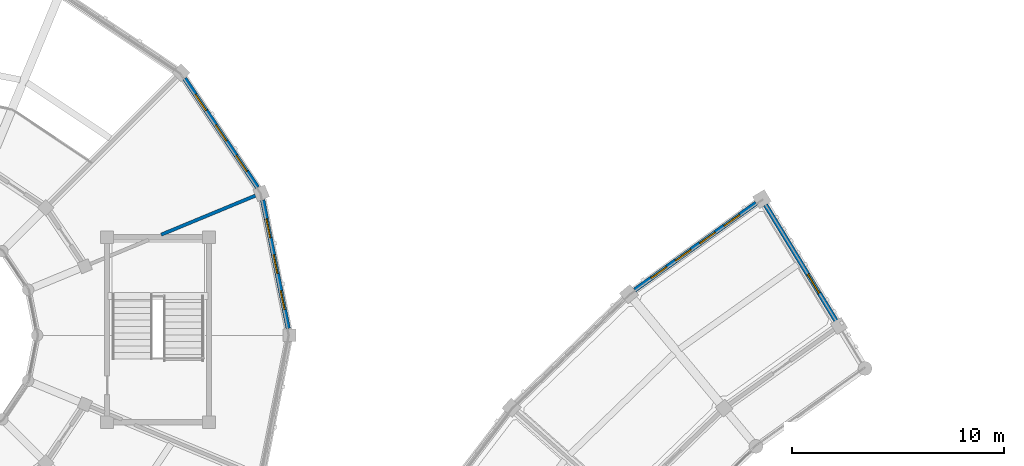
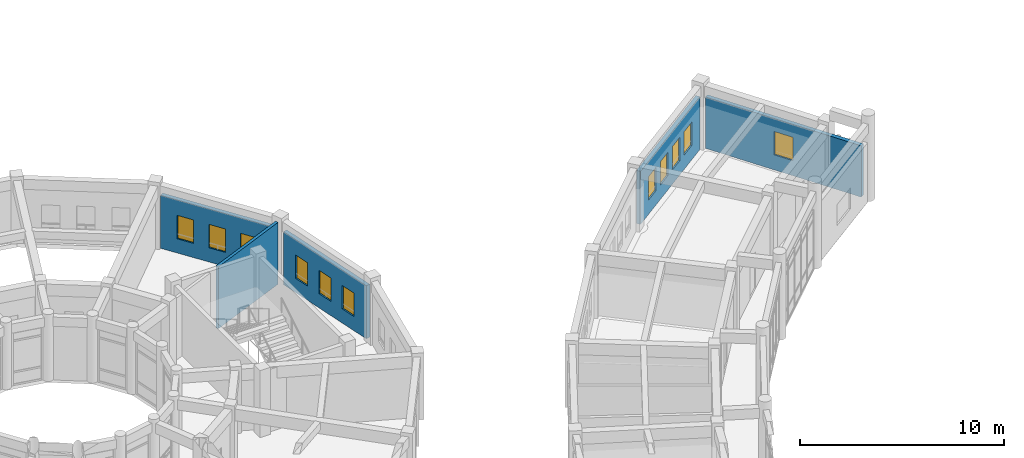
# One storey, part 131 of 159: 11 windows, 5 walls, 11 openings.
"""IFC4 building model written with IfcOpenShell, lengths in metres."""

from ifc_helpers import new_model, si_unit, direction, frame, frame_2d, origin, place, context, subcontext, project, spatial, rectangle, extrude, material, layer, layer_set, type_object, element, fill, save


model = new_model("IFC4")

# Units and contexts
model_context = context("Model", 3, precision=1e-05, world=origin(), true_north=direction((0.0, 1.0)))
body_context = subcontext(model_context, "Body", "Model", "MODEL_VIEW")
ifc_project = project(units=[si_unit("LENGTHUNIT", "METRE"), si_unit("AREAUNIT", "SQUARE_METRE"), si_unit("VOLUMEUNIT", "CUBIC_METRE"), si_unit("PLANEANGLEUNIT", "RADIAN"), si_unit("MASSUNIT", "GRAM", prefix="KILO")], contexts=[model_context])

# Site, building, storey
site_placement = place(None, origin())
site = spatial("IfcSite", under=ifc_project, at=site_placement, CompositionType="ELEMENT")
building_placement = place(site_placement, origin())
building = spatial("IfcBuilding", under=site, at=building_placement, Name="Celadon Cloister-Ring School", CompositionType="ELEMENT")
storey_placement = place(building_placement, frame((0.0, 0.0, 4.5)))
storey = spatial("IfcBuildingStorey", under=building, at=storey_placement, Name="L01", CompositionType="ELEMENT", Elevation=4.5)

# Wall, openings, windows
ifc_material_1 = material(Name="Perforated terracotta clay brick masonry", Category="masonry")
ifc_layer_1 = layer(ifc_material_1, 0.219970703125)
ifc_layer_set_1 = layer_set([ifc_layer_1], Name="Perforated terracotta clay brick masonry")
wall_type_1 = type_object("IfcWallType", Name="WT-EX4", PredefinedType="SOLIDWALL", material=ifc_layer_set_1)
wall_1_placement = place(storey_placement, frame((53.97607421875, 99.135986328125, 0.0), z_axis=(0.0, 0.0, 1.0), x_axis=(0.81337207515, 0.581743815924, 0.0)))
wall_1 = element("IfcWall", 1, at=wall_1_placement, inside=storey, type_object=wall_type_1, Name="Exterior Wall 0053", PredefinedType="SOLIDWALL", context=body_context, shape_type="SweptSolid", body=[
    extrude(rectangle(XDim=7.032470703125, YDim=0.219970703125, at=frame_2d((3.51611328125, 0.0))), origin(), (0.0, 0.0, 1.0), 3.172119140625),
])
opening_1_placement = place(wall_1_placement, frame((0.9560546875, 0.0, 0.85009765625)))
opening_1 = element("IfcOpeningElement", 2, at=opening_1_placement, cuts=wall_1, Name="Opening WN-21", PredefinedType="OPENING", context=body_context, shape_type="SweptSolid", body=[
    extrude(rectangle(XDim=0.89990234375, YDim=1.39990234375, at=frame_2d((0.449951171875, 0.699951171875))), frame((0.0, 0.1201171875, 0.0), z_axis=(0.0, -1.0, 0.0), x_axis=(1.0, 0.0, 0.0)), (0.0, 0.0, 1.0), 0.239990234375),
])
opening_2_placement = place(wall_1_placement, frame((2.363037109375, 0.0, 0.85009765625)))
opening_2 = element("IfcOpeningElement", 3, at=opening_2_placement, cuts=wall_1, Name="Opening WN-21", PredefinedType="OPENING", context=body_context, shape_type="SweptSolid", body=[
    extrude(rectangle(XDim=0.89990234375, YDim=1.39990234375, at=frame_2d((0.449951171875, 0.699951171875))), frame((0.0, 0.1201171875, 0.0), z_axis=(0.0, -1.0, 0.0), x_axis=(1.0, 0.0, 0.0)), (0.0, 0.0, 1.0), 0.239990234375),
])
opening_3_placement = place(wall_1_placement, frame((3.76904296875, 0.0, 0.85009765625)))
opening_3 = element("IfcOpeningElement", 4, at=opening_3_placement, cuts=wall_1, Name="Opening WN-21", PredefinedType="OPENING", context=body_context, shape_type="SweptSolid", body=[
    extrude(rectangle(XDim=0.89990234375, YDim=1.39990234375, at=frame_2d((0.449951171875, 0.699951171875))), frame((0.0, 0.1201171875, 0.0), z_axis=(0.0, -1.0, 0.0), x_axis=(1.0, 0.0, 0.0)), (0.0, 0.0, 1.0), 0.239990234375),
])
opening_4_placement = place(wall_1_placement, frame((5.176025390625, 0.0, 0.85009765625)))
opening_4 = element("IfcOpeningElement", 5, at=opening_4_placement, cuts=wall_1, Name="Opening WN-21", PredefinedType="OPENING", context=body_context, shape_type="SweptSolid", body=[
    extrude(rectangle(XDim=0.89990234375, YDim=1.39990234375, at=frame_2d((0.449951171875, 0.699951171875))), frame((0.0, 0.1201171875, 0.0), z_axis=(0.0, -1.0, 0.0), x_axis=(1.0, 0.0, 0.0)), (0.0, 0.0, 1.0), 0.239990234375),
])
ifc_material_2 = material(Name="Tempered laminated insulating glass", Category="glass")
window_type_1 = type_object("IfcWindowType", Name="WN-21", PartitioningType="SINGLE_PANEL", PredefinedType="WINDOW", material=ifc_material_2)
window_1_placement = place(opening_1_placement, origin())
window_1 = element("IfcWindow", 6, at=window_1_placement, inside=storey, type_object=window_type_1, Name="Window 0128", OverallHeight=1.39990234375, OverallWidth=0.89990234375, PartitioningType="SINGLE_PANEL", PredefinedType="WINDOW", context=body_context, shape_type="SweptSolid", body=[
    extrude(rectangle(XDim=0.89990234375, YDim=1.39990234375, at=frame_2d((0.449951171875, 0.699951171875))), frame((0.0, 0.030029296875, 0.0), z_axis=(0.0, -1.0, 0.0), x_axis=(1.0, 0.0, 0.0)), (0.0, 0.0, 1.0), 0.06005859375),
])
fill(opening_1, window_1)
window_2_placement = place(opening_2_placement, origin())
window_2 = element("IfcWindow", 7, at=window_2_placement, inside=storey, type_object=window_type_1, Name="Window 0129", OverallHeight=1.39990234375, OverallWidth=0.89990234375, PartitioningType="SINGLE_PANEL", PredefinedType="WINDOW", context=body_context, shape_type="SweptSolid", body=[
    extrude(rectangle(XDim=0.89990234375, YDim=1.39990234375, at=frame_2d((0.449951171875, 0.699951171875))), frame((0.0, 0.030029296875, 0.0), z_axis=(0.0, -1.0, 0.0), x_axis=(1.0, 0.0, 0.0)), (0.0, 0.0, 1.0), 0.06005859375),
])
fill(opening_2, window_2)
window_3_placement = place(opening_3_placement, origin())
window_3 = element("IfcWindow", 8, at=window_3_placement, inside=storey, type_object=window_type_1, Name="Window 0130", OverallHeight=1.39990234375, OverallWidth=0.89990234375, PartitioningType="SINGLE_PANEL", PredefinedType="WINDOW", context=body_context, shape_type="SweptSolid", body=[
    extrude(rectangle(XDim=0.89990234375, YDim=1.39990234375, at=frame_2d((0.449951171875, 0.699951171875))), frame((0.0, 0.030029296875, 0.0), z_axis=(0.0, -1.0, 0.0), x_axis=(1.0, 0.0, 0.0)), (0.0, 0.0, 1.0), 0.06005859375),
])
fill(opening_3, window_3)
window_4_placement = place(opening_4_placement, origin())
window_4 = element("IfcWindow", 9, at=window_4_placement, inside=storey, type_object=window_type_1, Name="Window 0131", OverallHeight=1.39990234375, OverallWidth=0.89990234375, PartitioningType="SINGLE_PANEL", PredefinedType="WINDOW", context=body_context, shape_type="SweptSolid", body=[
    extrude(rectangle(XDim=0.89990234375, YDim=1.39990234375, at=frame_2d((0.449951171875, 0.699951171875))), frame((0.0, 0.030029296875, 0.0), z_axis=(0.0, -1.0, 0.0), x_axis=(1.0, 0.0, 0.0)), (0.0, 0.0, 1.0), 0.06005859375),
])
fill(opening_4, window_4)

# Wall, opening, window
wall_2_placement = place(storey_placement, frame((60.138916015625, 103.14306640625, 0.0), z_axis=(0.0, 0.0, 1.0), x_axis=(0.519865008616, -0.854248425703, 0.0)))
wall_2 = element("IfcWall", 10, at=wall_2_placement, inside=storey, type_object=wall_type_1, Name="Exterior Wall 0100", PredefinedType="SOLIDWALL", context=body_context, shape_type="SweptSolid", body=[
    extrude(rectangle(XDim=8.696533203125, YDim=0.219970703125, at=frame_2d((4.34814453125, 0.0))), origin(), (0.0, 0.0, 1.0), 3.072021484375),
])
opening_5_placement = place(wall_2_placement, frame((3.822998046875, 0.0, 0.89990234375)))
opening_5 = element("IfcOpeningElement", 11, at=opening_5_placement, cuts=wall_2, Name="Opening WN-22", PredefinedType="OPENING", context=body_context, shape_type="SweptSolid", body=[
    extrude(rectangle(XDim=1.050048828125, YDim=1.39990234375, at=frame_2d((0.52490234375, 0.699951171875))), frame((0.0, 0.1201171875, 0.0), z_axis=(0.0, -1.0, 0.0), x_axis=(1.0, 0.0, 0.0)), (0.0, 0.0, 1.0), 0.239990234375),
])
ifc_material_3 = material(Name="Tempered laminated insulating glass", Category="glass")
window_type_2 = type_object("IfcWindowType", Name="WN-22", PartitioningType="SINGLE_PANEL", PredefinedType="WINDOW", material=ifc_material_3)
window_5_placement = place(opening_5_placement, origin())
window_5 = element("IfcWindow", 12, at=window_5_placement, inside=storey, type_object=window_type_2, Name="Window 0272", OverallHeight=1.39990234375, OverallWidth=1.050048828125, PartitioningType="SINGLE_PANEL", PredefinedType="WINDOW", context=body_context, shape_type="SweptSolid", body=[
    extrude(rectangle(XDim=1.050048828125, YDim=1.39990234375, at=frame_2d((0.52490234375, 0.699951171875))), frame((0.0, 0.030029296875, 0.0), z_axis=(0.0, -1.0, 0.0), x_axis=(1.0, 0.0, 0.0)), (0.0, 0.0, 1.0), 0.06005859375),
])
fill(opening_5, window_5)

# Wall, openings, windows
wall_3_placement = place(storey_placement, frame((36.431884765625, 103.3740234375, 0.0), z_axis=(0.0, 0.0, 1.0), x_axis=(0.195164813773, -0.980770460131, 0.0)))
wall_3 = element("IfcWall", 13, at=wall_3_placement, inside=storey, type_object=wall_type_1, Name="Exterior Wall 0231", PredefinedType="SOLIDWALL", context=body_context, shape_type="SweptSolid", body=[
    extrude(rectangle(XDim=6.169677734375, YDim=0.219970703125, at=frame_2d((3.0849609375, 0.0))), origin(), (0.0, 0.0, 1.0), 3.172119140625),
])
opening_6_placement = place(wall_3_placement, frame((0.906982421875, 0.0, 0.85009765625)))
opening_6 = element("IfcOpeningElement", 14, at=opening_6_placement, cuts=wall_3, Name="Opening WN-21", PredefinedType="OPENING", context=body_context, shape_type="SweptSolid", body=[
    extrude(rectangle(XDim=0.89990234375, YDim=1.39990234375, at=frame_2d((0.449951171875, 0.699951171875))), frame((0.0, 0.1201171875, 0.0), z_axis=(0.0, -1.0, 0.0), x_axis=(1.0, 0.0, 0.0)), (0.0, 0.0, 1.0), 0.239990234375),
])
opening_7_placement = place(wall_3_placement, frame((2.635009765625, 0.0, 0.85009765625)))
opening_7 = element("IfcOpeningElement", 15, at=opening_7_placement, cuts=wall_3, Name="Opening WN-21", PredefinedType="OPENING", context=body_context, shape_type="SweptSolid", body=[
    extrude(rectangle(XDim=0.89990234375, YDim=1.39990234375, at=frame_2d((0.449951171875, 0.699951171875))), frame((0.0, 0.1201171875, 0.0), z_axis=(0.0, -1.0, 0.0), x_axis=(1.0, 0.0, 0.0)), (0.0, 0.0, 1.0), 0.239990234375),
])
opening_8_placement = place(wall_3_placement, frame((4.362060546875, 0.0, 0.85009765625)))
opening_8 = element("IfcOpeningElement", 16, at=opening_8_placement, cuts=wall_3, Name="Opening WN-21", PredefinedType="OPENING", context=body_context, shape_type="SweptSolid", body=[
    extrude(rectangle(XDim=0.89990234375, YDim=1.39990234375, at=frame_2d((0.449951171875, 0.699951171875))), frame((0.0, 0.1201171875, 0.0), z_axis=(0.0, -1.0, 0.0), x_axis=(1.0, 0.0, 0.0)), (0.0, 0.0, 1.0), 0.239990234375),
])
window_6_placement = place(opening_6_placement, origin())
window_6 = element("IfcWindow", 17, at=window_6_placement, inside=storey, type_object=window_type_1, Name="Window 0619", OverallHeight=1.39990234375, OverallWidth=0.89990234375, PartitioningType="SINGLE_PANEL", PredefinedType="WINDOW", context=body_context, shape_type="SweptSolid", body=[
    extrude(rectangle(XDim=0.89990234375, YDim=1.39990234375, at=frame_2d((0.449951171875, 0.699951171875))), frame((0.0, 0.030029296875, 0.0), z_axis=(0.0, -1.0, 0.0), x_axis=(1.0, 0.0, 0.0)), (0.0, 0.0, 1.0), 0.06005859375),
])
fill(opening_6, window_6)
window_7_placement = place(opening_7_placement, origin())
window_7 = element("IfcWindow", 18, at=window_7_placement, inside=storey, type_object=window_type_1, Name="Window 0620", OverallHeight=1.39990234375, OverallWidth=0.89990234375, PartitioningType="SINGLE_PANEL", PredefinedType="WINDOW", context=body_context, shape_type="SweptSolid", body=[
    extrude(rectangle(XDim=0.89990234375, YDim=1.39990234375, at=frame_2d((0.449951171875, 0.699951171875))), frame((0.0, 0.030029296875, 0.0), z_axis=(0.0, -1.0, 0.0), x_axis=(1.0, 0.0, 0.0)), (0.0, 0.0, 1.0), 0.06005859375),
])
fill(opening_7, window_7)
window_8_placement = place(opening_8_placement, origin())
window_8 = element("IfcWindow", 19, at=window_8_placement, inside=storey, type_object=window_type_1, Name="Window 0621", OverallHeight=1.39990234375, OverallWidth=0.89990234375, PartitioningType="SINGLE_PANEL", PredefinedType="WINDOW", context=body_context, shape_type="SweptSolid", body=[
    extrude(rectangle(XDim=0.89990234375, YDim=1.39990234375, at=frame_2d((0.449951171875, 0.699951171875))), frame((0.0, 0.030029296875, 0.0), z_axis=(0.0, -1.0, 0.0), x_axis=(1.0, 0.0, 0.0)), (0.0, 0.0, 1.0), 0.06005859375),
])
fill(opening_8, window_8)

wall_4_placement = place(storey_placement, frame((32.757080078125, 109.10009765625, 0.0), z_axis=(0.0, 0.0, 1.0), x_axis=(0.555658736667, -0.831410469242, 0.0)))
wall_4 = element("IfcWall", 20, at=wall_4_placement, inside=storey, type_object=wall_type_1, Name="Exterior Wall 0232", PredefinedType="SOLIDWALL", context=body_context, shape_type="SweptSolid", body=[
    extrude(rectangle(XDim=6.169189453125, YDim=0.219970703125, at=frame_2d((3.08447265625, 0.0))), origin(), (0.0, 0.0, 1.0), 3.172119140625),
])
opening_9_placement = place(wall_4_placement, frame((0.906982421875, 0.0, 0.85009765625)))
opening_9 = element("IfcOpeningElement", 21, at=opening_9_placement, cuts=wall_4, Name="Opening WN-21", PredefinedType="OPENING", context=body_context, shape_type="SweptSolid", body=[
    extrude(rectangle(XDim=0.89990234375, YDim=1.39990234375, at=frame_2d((0.449951171875, 0.699951171875))), frame((0.0, 0.1201171875, 0.0), z_axis=(0.0, -1.0, 0.0), x_axis=(1.0, 0.0, 0.0)), (0.0, 0.0, 1.0), 0.239990234375),
])
opening_10_placement = place(wall_4_placement, frame((2.635009765625, 0.0, 0.85009765625)))
opening_10 = element("IfcOpeningElement", 22, at=opening_10_placement, cuts=wall_4, Name="Opening WN-21", PredefinedType="OPENING", context=body_context, shape_type="SweptSolid", body=[
    extrude(rectangle(XDim=0.89990234375, YDim=1.39990234375, at=frame_2d((0.449951171875, 0.699951171875))), frame((0.0, 0.1201171875, 0.0), z_axis=(0.0, -1.0, 0.0), x_axis=(1.0, 0.0, 0.0)), (0.0, 0.0, 1.0), 0.239990234375),
])
opening_11_placement = place(wall_4_placement, frame((4.362060546875, 0.0, 0.85009765625)))
opening_11 = element("IfcOpeningElement", 23, at=opening_11_placement, cuts=wall_4, Name="Opening WN-21", PredefinedType="OPENING", context=body_context, shape_type="SweptSolid", body=[
    extrude(rectangle(XDim=0.89990234375, YDim=1.39990234375, at=frame_2d((0.449951171875, 0.699951171875))), frame((0.0, 0.1201171875, 0.0), z_axis=(0.0, -1.0, 0.0), x_axis=(1.0, 0.0, 0.0)), (0.0, 0.0, 1.0), 0.239990234375),
])
window_9_placement = place(opening_9_placement, origin())
window_9 = element("IfcWindow", 24, at=window_9_placement, inside=storey, type_object=window_type_1, Name="Window 0622", OverallHeight=1.39990234375, OverallWidth=0.89990234375, PartitioningType="SINGLE_PANEL", PredefinedType="WINDOW", context=body_context, shape_type="SweptSolid", body=[
    extrude(rectangle(XDim=0.89990234375, YDim=1.39990234375, at=frame_2d((0.449951171875, 0.699951171875))), frame((0.0, 0.030029296875, 0.0), z_axis=(0.0, -1.0, 0.0), x_axis=(1.0, 0.0, 0.0)), (0.0, 0.0, 1.0), 0.06005859375),
])
fill(opening_9, window_9)
window_10_placement = place(opening_10_placement, origin())
window_10 = element("IfcWindow", 25, at=window_10_placement, inside=storey, type_object=window_type_1, Name="Window 0623", OverallHeight=1.39990234375, OverallWidth=0.89990234375, PartitioningType="SINGLE_PANEL", PredefinedType="WINDOW", context=body_context, shape_type="SweptSolid", body=[
    extrude(rectangle(XDim=0.89990234375, YDim=1.39990234375, at=frame_2d((0.449951171875, 0.699951171875))), frame((0.0, 0.030029296875, 0.0), z_axis=(0.0, -1.0, 0.0), x_axis=(1.0, 0.0, 0.0)), (0.0, 0.0, 1.0), 0.06005859375),
])
fill(opening_10, window_10)
window_11_placement = place(opening_11_placement, origin())
window_11 = element("IfcWindow", 26, at=window_11_placement, inside=storey, type_object=window_type_1, Name="Window 0624", OverallHeight=1.39990234375, OverallWidth=0.89990234375, PartitioningType="SINGLE_PANEL", PredefinedType="WINDOW", context=body_context, shape_type="SweptSolid", body=[
    extrude(rectangle(XDim=0.89990234375, YDim=1.39990234375, at=frame_2d((0.449951171875, 0.699951171875))), frame((0.0, 0.030029296875, 0.0), z_axis=(0.0, -1.0, 0.0), x_axis=(1.0, 0.0, 0.0)), (0.0, 0.0, 1.0), 0.06005859375),
])
fill(opening_11, window_11)

# Wall
ifc_material_4 = material(Name="Plastered hollow concrete masonry", Category="masonry")
ifc_layer_2 = layer(ifc_material_4, 0.159912109375)
ifc_layer_set_2 = layer_set([ifc_layer_2], Name="Plastered hollow concrete masonry")
wall_type_2 = type_object("IfcWallType", Name="WT-PT3", PredefinedType="PARTITIONING", material=ifc_layer_set_2)
wall_5_placement = place(storey_placement, frame((31.65087890625, 101.742919921875, 0.0), z_axis=(0.0, 0.0, 1.0), x_axis=(0.923877739946, 0.382687759972, 0.0)))
element("IfcWall", 27, at=wall_5_placement, inside=storey, type_object=wall_type_2, Name="Interior Wall 0673", PredefinedType="PARTITIONING", context=body_context, shape_type="SweptSolid", body=[
    extrude(rectangle(XDim=4.8134765625, YDim=0.159912109375, at=frame_2d((2.40673828125, 0.0))), origin(), (0.0, 0.0, 1.0), 3.699951171875),
])

save(model, "model.ifc")
